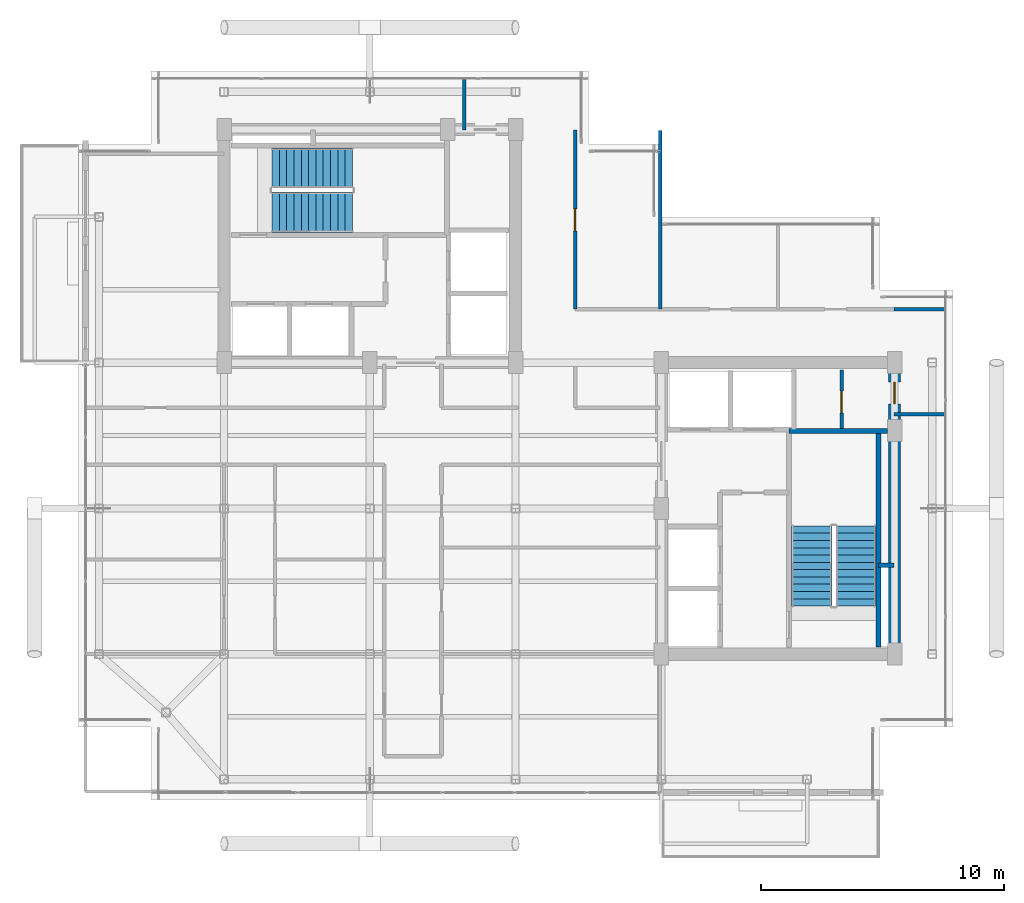
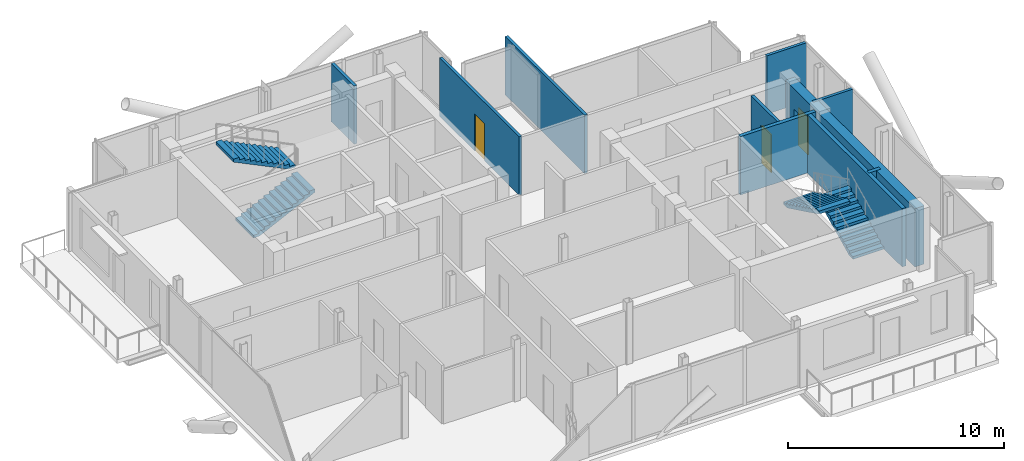
# One storey, part 16 of 18: 10 walls, 4 stair flights, 3 doors, 3 openings, 2 elements without a shape of their own.
"""IFC4 building model written with IfcOpenShell, lengths in metres."""

from ifc_helpers import new_model, si_unit, direction, frame, frame_2d, origin, place, context, subcontext, project, spatial, polyline, rectangle, outline, extrude, material, layer, layer_set, type_object, element, fill, aggregate, save


model = new_model("IFC4")

# Units and contexts
model_context = context("Model", 3, precision=1e-05, world=origin(), true_north=direction((0.0, 1.0)))
body_context = subcontext(model_context, "Body", "Model", "MODEL_VIEW")
ifc_project = project(units=[si_unit("LENGTHUNIT", "METRE"), si_unit("AREAUNIT", "SQUARE_METRE"), si_unit("VOLUMEUNIT", "CUBIC_METRE"), si_unit("PLANEANGLEUNIT", "RADIAN"), si_unit("MASSUNIT", "GRAM", prefix="KILO"), si_unit("THERMODYNAMICTEMPERATUREUNIT", "KELVIN"), si_unit("POWERUNIT", "WATT")], contexts=[model_context])

# Site, building, storey
site_placement = place(None, origin())
site = spatial("IfcSite", under=ifc_project, at=site_placement, CompositionType="ELEMENT")
building_placement = place(site_placement, origin())
building = spatial("IfcBuilding", under=site, at=building_placement, Name="Svarakhadi Broadcast Tower", CompositionType="ELEMENT")
storey_placement = place(building_placement, frame((0.0, 0.0, 260.699951171875)))
storey = spatial("IfcBuildingStorey", under=building, at=storey_placement, Name="L65", CompositionType="ELEMENT", Elevation=260.699951171875)

# Wall
ifc_material_1 = material(Name="Concrete C40/50 (IS 456 M50)", Category="concrete")
ifc_layer_1 = layer(ifc_material_1, 0.199951171875)
ifc_layer_set_1 = layer_set([ifc_layer_1], Name="Concrete C40/50 (IS 456 M50)")
wall_type_1 = type_object("IfcWallType", Name="Wall_Fire_200", PredefinedType="SOLIDWALL", material=ifc_layer_set_1)
wall_1_placement = place(storey_placement, frame((32.93994140625, 9.659912109375, 0.0), z_axis=(0.0, 0.0, 1.0), x_axis=(1.0, 0.0, 0.0)))
element("IfcWall", 1, at=wall_1_placement, inside=storey, type_object=wall_type_1, Name="L65 HV Busduct Riser Shaft North Wall", PredefinedType="SOLIDWALL", context=body_context, shape_type="SweptSolid", body=[
    extrude(rectangle(XDim=0.64013671875, YDim=0.199951171875, at=frame_2d((0.320068359375, 0.0))), origin(), (0.0, 0.0, 1.0), 3.300048828125),
])

# Wall, opening, door
ifc_material_2 = material(Name="Autoclaved Aerated Concrete Blockwork 150 mm", Category="masonry")
ifc_layer_2 = layer(ifc_material_2, 0.14990234375)
ifc_layer_set_2 = layer_set([ifc_layer_2], Name="Autoclaved Aerated Concrete Blockwork 150 mm")
wall_type_2 = type_object("IfcWallType", Name="Wall_Part_150", PredefinedType="PARTITIONING", material=ifc_layer_set_2)
wall_2_placement = place(storey_placement, frame((31.419921875, 15.280029296875, 0.0), z_axis=(0.0, 0.0, 1.0), x_axis=(0.0, 1.0, 0.0)))
wall_2 = element("IfcWall", 2, at=wall_2_placement, inside=storey, type_object=wall_type_2, Name="L65 Core Service Split Wall", PredefinedType="PARTITIONING", context=body_context, shape_type="SweptSolid", body=[
    extrude(rectangle(XDim=2.419921875, YDim=0.14990234375, at=frame_2d((1.2099609375, 0.0))), origin(), (0.0, 0.0, 1.0), 3.300048828125),
])
opening_1_placement = place(wall_2_placement, frame((0.64990234375, 0.0, 0.0)))
opening_1 = element("IfcOpeningElement", 3, at=opening_1_placement, cuts=wall_2, Name="Opening D-04", PredefinedType="OPENING", context=body_context, shape_type="SweptSolid", body=[
    extrude(rectangle(XDim=0.89990234375, YDim=2.14990234375, at=frame_2d((0.449951171875, 1.074951171875))), frame((0.0, 0.0849609375, 0.0), z_axis=(0.0, -1.0, 0.0), x_axis=(1.0, 0.0, 0.0)), (0.0, 0.0, 1.0), 0.169921875),
])
ifc_material_3 = material(Name="Galvanised Powder-Coated Fire-Rated Steel Leaf", Category="steel")
door_type_1 = type_object("IfcDoorType", Name="Door_Fire_D04", OperationType="SINGLE_SWING_RIGHT", PredefinedType="DOOR", material=ifc_material_3)
door_1_placement = place(opening_1_placement, origin())
door_1 = element("IfcDoor", 4, at=door_1_placement, inside=storey, type_object=door_type_1, Name="L65 Core Inner Riser Store Door", OperationType="SINGLE_SWING_RIGHT", OverallHeight=2.14990234375, OverallWidth=0.89990234375, PredefinedType="DOOR", context=body_context, shape_type="SweptSolid", body=[
    extrude(rectangle(XDim=0.89990234375, YDim=2.14990234375, at=frame_2d((0.449951171875, 1.074951171875))), frame((0.0, 0.02490234375, 0.0), z_axis=(0.0, -1.0, 0.0), x_axis=(1.0, 0.0, 0.0)), (0.0, 0.0, 1.0), 0.050048828125),
])
fill(opening_1, door_1)

# Wall
wall_3_placement = place(storey_placement, frame((15.8798828125, 27.580078125, 0.0), z_axis=(0.0, 0.0, 1.0), x_axis=(0.0, 1.0, 0.0)))
element("IfcWall", 5, at=wall_3_placement, inside=storey, type_object=wall_type_2, Name="L65 Upper Tower Concourse Wall", PredefinedType="PARTITIONING", context=body_context, shape_type="SweptSolid", body=[
    extrude(rectangle(XDim=2.119873046875, YDim=0.14990234375, at=frame_2d((1.06005859375, 0.0))), origin(), (0.0, 0.0, 1.0), 3.300048828125),
])

# Wall, opening, door
wall_4_placement = place(storey_placement, frame((20.449951171875, 27.580078125, 0.0), z_axis=(0.0, 0.0, 1.0), x_axis=(0.0, -1.0, 0.0)))
wall_4 = element("IfcWall", 6, at=wall_4_placement, inside=storey, type_object=wall_type_2, Name="L65 Upper Tower Concourse Wall", PredefinedType="PARTITIONING", context=body_context, shape_type="SweptSolid", body=[
    extrude(rectangle(XDim=7.380126953125, YDim=0.14990234375, at=frame_2d((3.68994140625, 0.0))), origin(), (0.0, 0.0, 1.0), 3.300048828125),
])
opening_2_placement = place(wall_4_placement, frame((3.2548828125, 0.0, 0.0)))
opening_2 = element("IfcOpeningElement", 7, at=opening_2_placement, cuts=wall_4, Name="Opening D-12", PredefinedType="OPENING", context=body_context, shape_type="SweptSolid", body=[
    extrude(rectangle(XDim=0.89990234375, YDim=2.10009765625, at=frame_2d((0.449951171875, 1.050048828125))), frame((0.0, 0.0849609375, 0.0), z_axis=(0.0, -1.0, 0.0), x_axis=(1.0, 0.0, 0.0)), (0.0, 0.0, 1.0), 0.169921875),
])
ifc_material_4 = material(Name="Solid-Core Teak Veneer Acoustic Timber Leaf", Category="wood")
door_type_2 = type_object("IfcDoorType", Name="Door_WC_D01", OperationType="SINGLE_SWING_LEFT", PredefinedType="DOOR", material=ifc_material_4)
door_2_placement = place(opening_2_placement, origin())
door_2 = element("IfcDoor", 8, at=door_2_placement, inside=storey, type_object=door_type_2, Name="L65 Accessible Visitor Washroom WC Door", OperationType="SINGLE_SWING_LEFT", OverallHeight=2.10009765625, OverallWidth=0.89990234375, PredefinedType="DOOR", context=body_context, shape_type="SweptSolid", body=[
    extrude(rectangle(XDim=0.89990234375, YDim=2.10009765625, at=frame_2d((0.449951171875, 1.050048828125))), frame((0.0, 0.02490234375, 0.0), z_axis=(0.0, -1.0, 0.0), x_axis=(1.0, 0.0, 0.0)), (0.0, 0.0, 1.0), 0.050048828125),
])
fill(opening_2, door_2)

# Walls
for number, where, z_axis, x_axis, name in (
    (9, (33.580078125, 20.199951171875, 0.0), (0.0, 0.0, 1.0), (1.0, 0.0, 0.0), "L65 Upper Tower Concourse Wall"),
    (10, (35.699951171875, 15.8798828125, 0.0), (0.0, 0.0, 1.0), (-1.0, 0.0, 0.0), "L65 Upper Tower Concourse Wall"),
):
    element("IfcWall", number, at=place(storey_placement, frame(where, z_axis=z_axis, x_axis=x_axis)), inside=storey, type_object=wall_type_2, Name=name, PredefinedType="PARTITIONING", context=body_context, shape_type="SweptSolid", body=[
        extrude(rectangle(XDim=2.119873046875, YDim=0.14990234375, at=frame_2d((1.06005859375, 0.0))), origin(), (0.0, 0.0, 1.0), 3.300048828125),
    ])
wall_5_placement = place(storey_placement, frame((23.949951171875, 20.199951171875, 0.0), z_axis=(0.0, 0.0, 1.0), x_axis=(0.0, 1.0, 0.0)))
element("IfcWall", 11, at=wall_5_placement, inside=storey, type_object=wall_type_2, Name="L65 Accessible Visitor Washroom WC Wall", PredefinedType="PARTITIONING", context=body_context, shape_type="SweptSolid", body=[
    extrude(rectangle(XDim=7.35009765625, YDim=0.14990234375, at=frame_2d((3.675048828125, 0.0))), origin(), (0.0, 0.0, 1.0), 3.300048828125),
])
ifc_material_5 = material(Name="Concrete C50/60 (IS 456 M60)", Category="concrete")
ifc_layer_3 = layer(ifc_material_5, 0.199951171875)
ifc_layer_set_3 = layer_set([ifc_layer_3], Name="Concrete C50/60 (IS 456 M60)")
wall_type_3 = type_object("IfcWallType", Name="Wall_Shear_200", PredefinedType="SHEAR", material=ifc_layer_set_3)
wall_6_placement = place(storey_placement, frame((32.93994140625, 6.300048828125, 0.0), z_axis=(0.0, 0.0, 1.0), x_axis=(0.0, 1.0, 0.0)))
element("IfcWall", 12, at=wall_6_placement, inside=storey, type_object=wall_type_3, Name="L65 Stair ST-02 East RC Shaft Wall", PredefinedType="SHEAR", context=body_context, shape_type="SweptSolid", body=[
    extrude(rectangle(XDim=8.8798828125, YDim=0.199951171875, at=frame_2d((4.43994140625, 0.0))), origin(), (0.0, 0.0, 1.0), 3.300048828125),
])
wall_7_placement = place(storey_placement, frame((29.260009765625, 15.179931640625, 0.0), z_axis=(0.0, 0.0, 1.0), x_axis=(1.0, 0.0, 0.0)))
element("IfcWall", 13, at=wall_7_placement, inside=storey, type_object=wall_type_3, Name="L65 Stair ST-02 North RC Shaft Wall", PredefinedType="SHEAR", context=body_context, shape_type="SweptSolid", body=[
    extrude(rectangle(XDim=4.0400390625, YDim=0.199951171875, at=frame_2d((2.02001953125, 0.0))), origin(), (0.0, 0.0, 1.0), 3.300048828125),
])

# Wall, opening, door
ifc_layer_4 = layer(ifc_material_5, 0.5)
ifc_layer_set_4 = layer_set([ifc_layer_4], Name="Concrete C50/60 (IS 456 M60)")
wall_type_4 = type_object("IfcWallType", Name="Wall_Shear_500", PredefinedType="SHEAR", material=ifc_layer_set_4)
wall_8_placement = place(storey_placement, frame((33.60009765625, 6.0, 0.0), z_axis=(0.0, 0.0, 1.0), x_axis=(0.0, 1.0, 0.0)))
wall_8 = element("IfcWall", 14, at=wall_8_placement, inside=storey, type_object=wall_type_4, Name="L65 East Core East Shear Wall", PredefinedType="SHEAR", context=body_context, shape_type="SweptSolid", body=[
    extrude(rectangle(XDim=12.0, YDim=0.5, at=frame_2d((6.0, 0.0))), origin(), (0.0, 0.0, 1.0), 3.300048828125),
])
opening_3_placement = place(wall_8_placement, frame((10.300048828125, 0.0, 0.0)))
opening_3 = element("IfcOpeningElement", 15, at=opening_3_placement, cuts=wall_8, Name="Opening D-03", PredefinedType="OPENING", context=body_context, shape_type="SweptSolid", body=[
    extrude(rectangle(XDim=0.89990234375, YDim=2.14990234375, at=frame_2d((0.449951171875, 1.074951171875))), frame((0.0, 0.260009765625, 0.0), z_axis=(0.0, -1.0, 0.0), x_axis=(1.0, 0.0, 0.0)), (0.0, 0.0, 1.0), 0.52001953125),
])
door_type_3 = type_object("IfcDoorType", Name="Door_Fire_D03", OperationType="SINGLE_SWING_LEFT", PredefinedType="DOOR", material=ifc_material_3)
door_3_placement = place(opening_3_placement, origin())
door_3 = element("IfcDoor", 16, at=door_3_placement, inside=storey, type_object=door_type_3, Name="L65 Core Outer Service Store Door", OperationType="SINGLE_SWING_LEFT", OverallHeight=2.14990234375, OverallWidth=0.89990234375, PredefinedType="DOOR", context=body_context, shape_type="SweptSolid", body=[
    extrude(rectangle(XDim=0.89990234375, YDim=2.14990234375, at=frame_2d((0.449951171875, 1.074951171875))), frame((0.0, 0.02490234375, 0.0), z_axis=(0.0, -1.0, 0.0), x_axis=(1.0, 0.0, 0.0)), (0.0, 0.0, 1.0), 0.050048828125),
])
fill(opening_3, door_3)

# Stair, stair flights
stair_type = type_object("IfcStairType", Name="Stair_Exit_Core", PredefinedType="HALF_TURN_STAIR", material=ifc_material_1)
stair_1_placement = place(storey_placement, origin())
stair_1 = element("IfcStair", 17, at=stair_1_placement, inside=storey, type_object=stair_type, Name="L65 West Core Protected Exit Stair ST-01", PredefinedType="HALF_TURN_STAIR")
stair_flight_type = type_object("IfcStairFlightType", Name="Flight_RC_1680", PredefinedType="STRAIGHT", material=ifc_material_1)
stair_flight_1_placement = place(storey_placement, frame((7.97998046875, 24.18994140625, 0.0), z_axis=(0.0, 0.0, 1.0), x_axis=(1.0, 0.0, 0.0)))
stair_flight_1 = element("IfcStairFlight", 18, at=stair_flight_1_placement, type_object=stair_flight_type, Name="ST-01 flight 1", NumberOfRisers=12, NumberOfTreads=11, PredefinedType="STRAIGHT", RiserHeight=0.145833333, TreadLength=0.3, context=body_context, shape_type="SweptSolid", body=[
    extrude(outline(polyline([(0.0, 0.0), (0.0, 0.145751953125), (0.300048828125, 0.145751953125), (0.300048828125, 0.291748046875), (0.60009765625, 0.291748046875), (0.60009765625, 0.4375), (0.89990234375, 0.4375), (0.89990234375, 0.583251953125), (1.199951171875, 0.583251953125), (1.199951171875, 0.729248046875), (1.5, 0.729248046875), (1.5, 0.875), (1.800048828125, 0.875), (1.800048828125, 1.020751953125), (2.10009765625, 1.020751953125), (2.10009765625, 1.166748046875), (2.39990234375, 1.166748046875), (2.39990234375, 1.3125), (2.699951171875, 1.3125), (2.699951171875, 1.458251953125), (3.0, 1.458251953125), (3.0, 1.604248046875), (3.300048828125, 1.604248046875), (3.300048828125, 1.75), (3.300048828125, 1.4375), (0.3427734375, 0.0), (0.0, 0.0)])), frame((0.0, 0.830078125, 0.0), z_axis=(0.0, -1.0, 0.0), x_axis=(1.0, 0.0, 0.0)), (0.0, 0.0, 1.0), 1.659912109375),
])
stair_flight_2_placement = place(storey_placement, frame((11.280029296875, 26.010009765625, 1.75), z_axis=(0.0, 0.0, 1.0), x_axis=(-1.0, 0.0, 0.0)))
stair_flight_2 = element("IfcStairFlight", 19, at=stair_flight_2_placement, type_object=stair_flight_type, Name="ST-01 flight 2", NumberOfRisers=12, NumberOfTreads=11, PredefinedType="STRAIGHT", RiserHeight=0.145833333, TreadLength=0.3, context=body_context, shape_type="SweptSolid", body=[
    extrude(outline(polyline([(0.0, 0.0), (0.0, 0.145751953125), (0.300048828125, 0.145751953125), (0.300048828125, 0.291748046875), (0.60009765625, 0.291748046875), (0.60009765625, 0.4375), (0.89990234375, 0.4375), (0.89990234375, 0.583251953125), (1.199951171875, 0.583251953125), (1.199951171875, 0.729248046875), (1.5, 0.729248046875), (1.5, 0.875), (1.800048828125, 0.875), (1.800048828125, 1.020751953125), (2.10009765625, 1.020751953125), (2.10009765625, 1.166748046875), (2.39990234375, 1.166748046875), (2.39990234375, 1.3125), (2.699951171875, 1.3125), (2.699951171875, 1.458251953125), (3.0, 1.458251953125), (3.0, 1.604248046875), (3.300048828125, 1.604248046875), (3.300048828125, 1.75), (3.300048828125, 1.4375), (0.3427734375, 0.0), (0.0, 0.0)])), frame((0.0, 0.830078125, 0.0), z_axis=(0.0, -1.0, 0.0), x_axis=(1.0, 0.0, 0.0)), (0.0, 0.0, 1.0), 1.659912109375),
])
aggregate(stair_1, [stair_flight_1, stair_flight_2])

stair_2_placement = place(storey_placement, origin())
stair_2 = element("IfcStair", 20, at=stair_2_placement, inside=storey, type_object=stair_type, Name="L65 East Core Protected Exit Stair ST-02", PredefinedType="HALF_TURN_STAIR")
stair_flight_3_placement = place(storey_placement, frame((32.010009765625, 7.97998046875, 0.0), z_axis=(0.0, 0.0, 1.0), x_axis=(0.0, 1.0, 0.0)))
stair_flight_3 = element("IfcStairFlight", 21, at=stair_flight_3_placement, type_object=stair_flight_type, Name="ST-02 flight 1", NumberOfRisers=12, NumberOfTreads=11, PredefinedType="STRAIGHT", RiserHeight=0.145833333, TreadLength=0.3, context=body_context, shape_type="SweptSolid", body=[
    extrude(outline(polyline([(0.0, 0.0), (0.0, 0.145751953125), (0.300048828125, 0.145751953125), (0.300048828125, 0.291748046875), (0.60009765625, 0.291748046875), (0.60009765625, 0.4375), (0.89990234375, 0.4375), (0.89990234375, 0.583251953125), (1.199951171875, 0.583251953125), (1.199951171875, 0.729248046875), (1.5, 0.729248046875), (1.5, 0.875), (1.800048828125, 0.875), (1.800048828125, 1.020751953125), (2.10009765625, 1.020751953125), (2.10009765625, 1.166748046875), (2.39990234375, 1.166748046875), (2.39990234375, 1.3125), (2.699951171875, 1.3125), (2.699951171875, 1.458251953125), (3.0, 1.458251953125), (3.0, 1.604248046875), (3.300048828125, 1.604248046875), (3.300048828125, 1.75), (3.300048828125, 1.4375), (0.3427734375, 0.0), (0.0, 0.0)])), frame((0.0, 0.830078125, 0.0), z_axis=(0.0, -1.0, 0.0), x_axis=(1.0, 0.0, 0.0)), (0.0, 0.0, 1.0), 1.659912109375),
])
stair_flight_4_placement = place(storey_placement, frame((30.18994140625, 11.280029296875, 1.75), z_axis=(0.0, 0.0, 1.0), x_axis=(0.0, -1.0, 0.0)))
stair_flight_4 = element("IfcStairFlight", 22, at=stair_flight_4_placement, type_object=stair_flight_type, Name="ST-02 flight 2", NumberOfRisers=12, NumberOfTreads=11, PredefinedType="STRAIGHT", RiserHeight=0.145833333, TreadLength=0.3, context=body_context, shape_type="SweptSolid", body=[
    extrude(outline(polyline([(0.0, 0.0), (0.0, 0.145751953125), (0.300048828125, 0.145751953125), (0.300048828125, 0.291748046875), (0.60009765625, 0.291748046875), (0.60009765625, 0.4375), (0.89990234375, 0.4375), (0.89990234375, 0.583251953125), (1.199951171875, 0.583251953125), (1.199951171875, 0.729248046875), (1.5, 0.729248046875), (1.5, 0.875), (1.800048828125, 0.875), (1.800048828125, 1.020751953125), (2.10009765625, 1.020751953125), (2.10009765625, 1.166748046875), (2.39990234375, 1.166748046875), (2.39990234375, 1.3125), (2.699951171875, 1.3125), (2.699951171875, 1.458251953125), (3.0, 1.458251953125), (3.0, 1.604248046875), (3.300048828125, 1.604248046875), (3.300048828125, 1.75), (3.300048828125, 1.4375), (0.3427734375, 0.0), (0.0, 0.0)])), frame((0.0, 0.830078125, 0.0), z_axis=(0.0, -1.0, 0.0), x_axis=(1.0, 0.0, 0.0)), (0.0, 0.0, 1.0), 1.659912109375),
])
aggregate(stair_2, [stair_flight_3, stair_flight_4])

save(model, "model.ifc")
